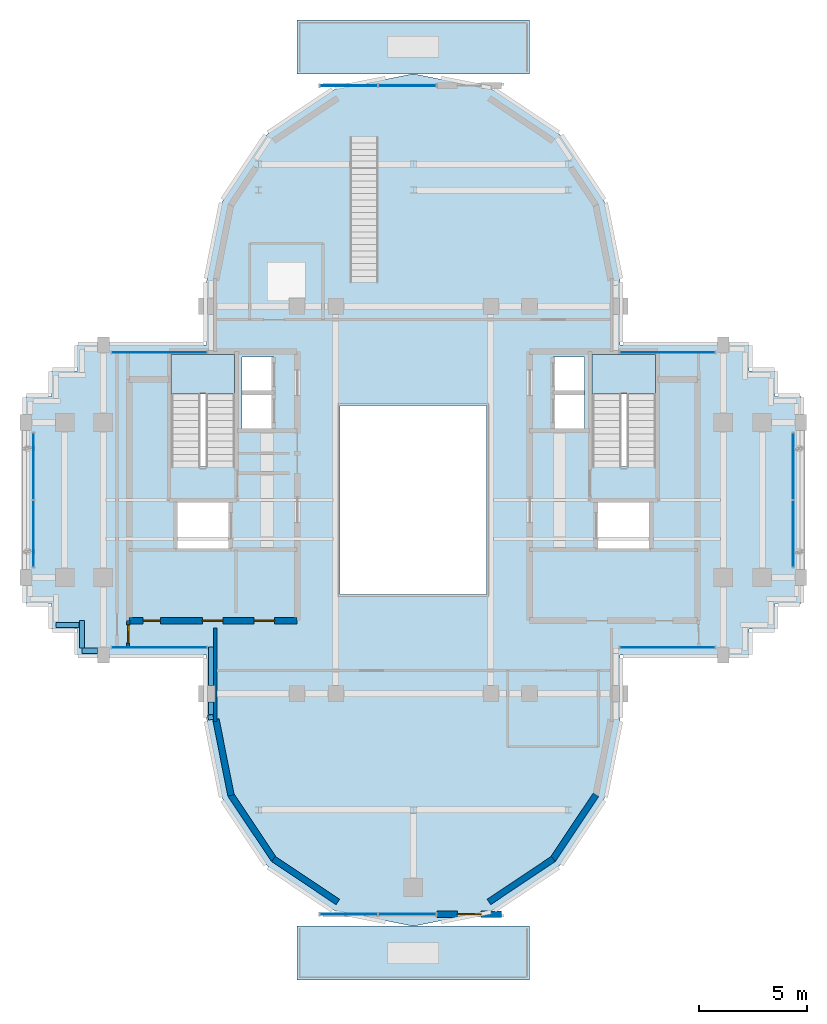
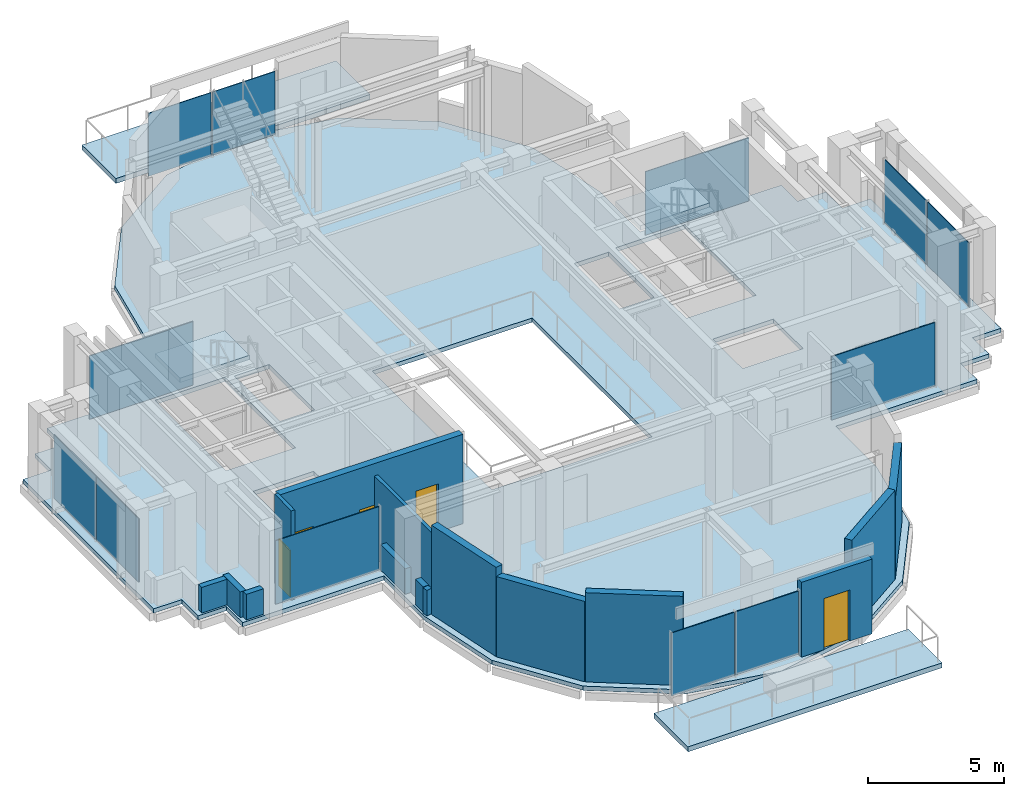
# One storey, part 7 of 14: 15 walls, 12 plates, 5 doors, 5 slabs, 5 openings, 10 elements without a shape of their own.
"""IFC4 building model written with IfcOpenShell, lengths in metres."""

from ifc_helpers import new_model, si_unit, direction, frame, frame_2d, origin, origin_2d, place, context, subcontext, project, spatial, polyline, rectangle, outline, extrude, source, transform, mapped, material, layer, layer_set, type_object, element, fill, aggregate, save


model = new_model("IFC4")

# Units and contexts
model_context = context("Model", 3, precision=1e-05, world=origin(), true_north=direction((0.0, 1.0)))
body_context = subcontext(model_context, "Body", "Model", "MODEL_VIEW")
ifc_project = project(units=[si_unit("LENGTHUNIT", "METRE"), si_unit("AREAUNIT", "SQUARE_METRE"), si_unit("VOLUMEUNIT", "CUBIC_METRE"), si_unit("PLANEANGLEUNIT", "RADIAN"), si_unit("MASSUNIT", "GRAM", prefix="KILO")], contexts=[model_context])

# Site, building, storey
site_placement = place(None, origin())
site = spatial("IfcSite", under=ifc_project, at=site_placement, CompositionType="ELEMENT")
building_placement = place(site_placement, origin())
building = spatial("IfcBuilding", under=site, at=building_placement, Name="Keilestroom Media Tower", CompositionType="ELEMENT")
storey_placement = place(building_placement, frame((0.0, 0.0, 219.39990234375)))
storey = spatial("IfcBuildingStorey", under=building, at=storey_placement, Name="L60", CompositionType="ELEMENT", Elevation=219.39990234375)

# Slabs
ifc_material_1 = material(Name="Concrete C50/60", Category="concrete")
ifc_layer_1 = layer(ifc_material_1, 0.18994140625)
ifc_layer_set_1 = layer_set([ifc_layer_1], Name="Concrete C50/60")
slab_type_1 = type_object("IfcSlabType", Name="Composite-Floor-Slab-190", PredefinedType="FLOOR", material=ifc_layer_set_1)
slab_1_placement = place(storey_placement, frame((0.0, 0.0, -0.18994140625)))
element("IfcSlab", 1, at=slab_1_placement, inside=storey, type_object=slab_type_1, Name="L60 Structural Composite Floor Slab", PredefinedType="FLOOR", context=body_context, shape_type="SweptSolid", body=[
    extrude(outline(polyline([(18.0, -4.800048828125), (18.0, 4.800048828125), (16.800048828125, 4.800048828125), (16.800048828125, 6.0), (15.60009765625, 6.0), (15.60009765625, 7.199951171875), (9.60009765625, 7.199951171875), (9.60009765625, 9.60009765625), (9.60009765625, 10.199951171875), (8.869140625, 13.873779296875), (6.7880859375, 16.98828125), (3.673828125, 19.069091796875), (0.0, 19.800048828125), (-3.673828125, 19.069091796875), (-6.7880859375, 16.98828125), (-8.869140625, 13.873779296875), (-9.60009765625, 10.199951171875), (-9.60009765625, 9.60009765625), (-9.60009765625, 7.199951171875), (-15.60009765625, 7.199951171875), (-15.60009765625, 6.0), (-16.800048828125, 6.0), (-16.800048828125, 4.800048828125), (-18.0, 4.800048828125), (-18.0, -4.800048828125), (-16.800048828125, -4.800048828125), (-16.800048828125, -6.0), (-15.60009765625, -6.0), (-15.60009765625, -7.199951171875), (-9.60009765625, -7.199951171875), (-9.60009765625, -9.60009765625), (-9.60009765625, -10.199951171875), (-8.869140625, -13.873779296875), (-6.7880859375, -16.98828125), (-3.673828125, -19.069091796875), (0.0, -19.800048828125), (3.673828125, -19.069091796875), (6.7880859375, -16.98828125), (8.869140625, -13.873779296875), (9.60009765625, -10.199951171875), (9.60009765625, -9.60009765625), (9.60009765625, -7.199951171875), (15.60009765625, -7.199951171875), (15.60009765625, -6.0), (16.800048828125, -6.0), (16.800048828125, -4.800048828125), (18.0, -4.800048828125)]), holes=[polyline([(-8.300048828125, 1.544921875), (-11.260009765625, 1.544921875), (-11.260009765625, 6.760009765625), (-8.300048828125, 6.760009765625), (-8.300048828125, 1.544921875)]), polyline([(-8.47998046875, -2.280029296875), (-11.050048828125, -2.280029296875), (-11.050048828125, -0.10009765625), (-8.47998046875, -0.10009765625), (-8.47998046875, -2.280029296875)]), polyline([(-6.47998046875, 3.300048828125), (-7.949951171875, 3.300048828125), (-7.949951171875, 6.64990234375), (-6.47998046875, 6.64990234375), (-6.47998046875, 3.300048828125)]), polyline([(3.39990234375, -4.39990234375), (-3.39990234375, -4.39990234375), (-3.39990234375, 4.39990234375), (3.39990234375, 4.39990234375), (3.39990234375, -4.39990234375)]), polyline([(7.949951171875, 3.300048828125), (6.47998046875, 3.300048828125), (6.47998046875, 6.64990234375), (7.949951171875, 6.64990234375), (7.949951171875, 3.300048828125)]), polyline([(11.260009765625, 1.544921875), (8.300048828125, 1.544921875), (8.300048828125, 6.760009765625), (11.260009765625, 6.760009765625), (11.260009765625, 1.544921875)]), polyline([(11.050048828125, -2.280029296875), (8.47998046875, -2.280029296875), (8.47998046875, -0.10009765625), (11.050048828125, -0.10009765625), (11.050048828125, -2.280029296875)])]), origin(), (0.0, 0.0, 1.0), 0.18994140625),
])
ifc_material_2 = material(Name="Concrete C45/55", Category="concrete")
ifc_layer_2 = layer(ifc_material_2, 0.219970703125)
ifc_layer_set_2 = layer_set([ifc_layer_2], Name="Concrete C45/55")
slab_type_2 = type_object("IfcSlabType", Name="Exterior-Terrace-And-Sky-Garden-Slab-220", PredefinedType="FLOOR", material=ifc_layer_set_2)
slab_2_placement = place(storey_placement, frame((0.0, 0.0, -0.219970703125)))
element("IfcSlab", 2, at=slab_2_placement, inside=storey, type_object=slab_type_2, Name="L60 Planted Sky-Garden Terrace Slab L60-SKYGARDEN-N", PredefinedType="FLOOR", context=body_context, shape_type="SweptSolid", body=[
    extrude(outline(polyline([(-5.39990234375, 19.800048828125), (5.39990234375, 19.800048828125), (5.39990234375, 22.300048828125), (-5.39990234375, 22.300048828125), (-5.39990234375, 19.800048828125)])), origin(), (0.0, 0.0, 1.0), 0.219970703125),
])
slab_3_placement = place(storey_placement, frame((0.0, 0.0, -0.219970703125)))
element("IfcSlab", 3, at=slab_3_placement, inside=storey, type_object=slab_type_2, Name="L60 Planted Sky-Garden Terrace Slab L60-SKYGARDEN-S", PredefinedType="FLOOR", context=body_context, shape_type="SweptSolid", body=[
    extrude(outline(polyline([(-5.39990234375, -22.300048828125), (5.39990234375, -22.300048828125), (5.39990234375, -19.800048828125), (-5.39990234375, -19.800048828125), (-5.39990234375, -22.300048828125)])), origin(), (0.0, 0.0, 1.0), 0.219970703125),
])

# Stair, slab
stair_type = type_object("IfcStairType", Name="Enclosed-Dog-Leg-Stair-ST-CORE", PredefinedType="HALF_TURN_STAIR", material=ifc_material_2)
stair_1_placement = place(storey_placement, origin())
stair_1 = element("IfcStair", 4, at=stair_1_placement, inside=storey, type_object=stair_type, Name="L60 West Core Escape Stair ST-1", PredefinedType="HALF_TURN_STAIR")
ifc_layer_3 = layer(ifc_material_2, 0.199951171875)
ifc_layer_set_3 = layer_set([ifc_layer_3], Name="Concrete C45/55")
slab_type_3 = type_object("IfcSlabType", Name="Stair-Intermediate-And-Top-Landing-Slab-200", PredefinedType="LANDING", material=ifc_layer_set_3)
slab_4_placement = place(storey_placement, frame((0.0, 0.0, 1.900146484375)))
slab_4 = element("IfcSlab", 5, at=slab_4_placement, type_object=slab_type_3, Name="ST-1 landing 1", PredefinedType="LANDING", context=body_context, shape_type="SweptSolid", body=[
    extrude(outline(polyline([(-8.300048828125, 4.931884765625), (-8.300048828125, 6.760009765625), (-11.260009765625, 6.760009765625), (-11.260009765625, 4.931884765625), (-8.300048828125, 4.931884765625)])), origin(), (0.0, 0.0, 1.0), 0.199951171875),
])
aggregate(stair_1, [slab_4])

stair_2_placement = place(storey_placement, origin())
stair_2 = element("IfcStair", 6, at=stair_2_placement, inside=storey, type_object=stair_type, Name="L60 East Core Escape Stair ST-2", PredefinedType="HALF_TURN_STAIR")
slab_5_placement = place(storey_placement, frame((0.0, 0.0, 1.900146484375)))
slab_5 = element("IfcSlab", 7, at=slab_5_placement, type_object=slab_type_3, Name="ST-2 landing 1", PredefinedType="LANDING", context=body_context, shape_type="SweptSolid", body=[
    extrude(outline(polyline([(11.260009765625, 4.931884765625), (11.260009765625, 6.760009765625), (8.300048828125, 6.760009765625), (8.300048828125, 4.931884765625), (11.260009765625, 4.931884765625)])), origin(), (0.0, 0.0, 1.0), 0.199951171875),
])
aggregate(stair_2, [slab_5])

# Curtain wall, plates
ifc_material_3 = material(Name="Anodised Aluminium Alloy", Category="aluminium")
curtain_wall_type_1 = type_object("IfcCurtainWallType", Name="Unitised-Curtain-Wall-CW-4", PredefinedType="NOTDEFINED", material=ifc_material_3)
curtain_wall_1_placement = place(storey_placement, origin())
curtain_wall_1 = element("IfcCurtainWall", 8, at=curtain_wall_1_placement, inside=storey, type_object=curtain_wall_type_1, Name="L60 Curtain Wall CW-4 CW-L60-W-1", PredefinedType="NOTDEFINED")
ifc_material_4 = material(Name="Triple Glazed Solar-Control Unit", Category="glass")
ifc_layer_4 = layer(ifc_material_4, 0.035888671875)
ifc_layer_set_4 = layer_set([ifc_layer_4], Name="Triple Glazed Solar-Control Unit")
plate_type_1 = type_object("IfcPlateType", Name="Insulated-Curtain-Wall-Glazing-Panel-CW-4", PredefinedType="CURTAIN_PANEL", material=ifc_layer_set_4)
shared_shape_1 = source(origin(), body_context, "Body", "SweptSolid", [
    extrude(rectangle(XDim=3.0830078125, YDim=0.035888671875, at=origin_2d()), origin(), (0.0, 0.0, 1.0), 2.85400390625),
])
plate_1_placement = place(storey_placement, frame((-17.64990234375, -1.5673828125, 0.06298828125), z_axis=(0.0, 0.0, 1.0), x_axis=(0.0, 1.0, 0.0)))
plate_1 = element("IfcPlate", 9, at=plate_1_placement, type_object=plate_type_1, Name="CW-4 Unitised Glazing 00", PredefinedType="CURTAIN_PANEL", context=body_context, shape_type="MappedRepresentation", body=[
    mapped(shared_shape_1, transform((0.0, 0.0, 0.0), x_axis=(1.0, 0.0, 0.0), y_axis=(0.0, 1.0, 0.0), z_axis=(0.0, 0.0, 1.0), scale=1.0)),
])
plate_2_placement = place(storey_placement, frame((-17.64990234375, 1.5673828125, 0.06298828125), z_axis=(0.0, 0.0, 1.0), x_axis=(0.0, 1.0, 0.0)))
plate_2 = element("IfcPlate", 10, at=plate_2_placement, type_object=plate_type_1, Name="CW-4 Unitised Glazing 01", PredefinedType="CURTAIN_PANEL", context=body_context, shape_type="MappedRepresentation", body=[
    mapped(shared_shape_1, transform((0.0, 0.0, 0.0), x_axis=(1.0, 0.0, 0.0), y_axis=(0.0, 1.0, 0.0), z_axis=(0.0, 0.0, 1.0), scale=1.0)),
])
aggregate(curtain_wall_1, [plate_1, plate_2])

curtain_wall_2_placement = place(storey_placement, origin())
curtain_wall_2 = element("IfcCurtainWall", 11, at=curtain_wall_2_placement, inside=storey, type_object=curtain_wall_type_1, Name="L60 Curtain Wall CW-4 CW-L60-E-1", PredefinedType="NOTDEFINED")
plate_3_placement = place(storey_placement, frame((17.64990234375, -1.5673828125, 0.06298828125), z_axis=(0.0, 0.0, 1.0), x_axis=(0.0, 1.0, 0.0)))
plate_3 = element("IfcPlate", 12, at=plate_3_placement, type_object=plate_type_1, Name="CW-4 Unitised Glazing 00", PredefinedType="CURTAIN_PANEL", context=body_context, shape_type="MappedRepresentation", body=[
    mapped(shared_shape_1, transform((0.0, 0.0, 0.0), x_axis=(1.0, 0.0, 0.0), y_axis=(0.0, 1.0, 0.0), z_axis=(0.0, 0.0, 1.0), scale=1.0)),
])
plate_4_placement = place(storey_placement, frame((17.64990234375, 1.5673828125, 0.06298828125), z_axis=(0.0, 0.0, 1.0), x_axis=(0.0, 1.0, 0.0)))
plate_4 = element("IfcPlate", 13, at=plate_4_placement, type_object=plate_type_1, Name="CW-4 Unitised Glazing 01", PredefinedType="CURTAIN_PANEL", context=body_context, shape_type="MappedRepresentation", body=[
    mapped(shared_shape_1, transform((0.0, 0.0, 0.0), x_axis=(1.0, 0.0, 0.0), y_axis=(0.0, 1.0, 0.0), z_axis=(0.0, 0.0, 1.0), scale=1.0)),
])
aggregate(curtain_wall_2, [plate_3, plate_4])

# Curtain wall, plate
curtain_wall_3_placement = place(storey_placement, origin())
curtain_wall_3 = element("IfcCurtainWall", 14, at=curtain_wall_3_placement, inside=storey, type_object=curtain_wall_type_1, Name="L60 Curtain Wall CW-4 CW-L60-NW-1", PredefinedType="NOTDEFINED")
shared_shape_2 = source(origin(), body_context, "Body", "SweptSolid", [
    extrude(rectangle(XDim=4.403076171875, YDim=0.035888671875, at=origin_2d()), origin(), (0.0, 0.0, 1.0), 2.85400390625),
])
plate_5_placement = place(storey_placement, frame((-11.8076171875, 6.85009765625, 0.06298828125), z_axis=(0.0, 0.0, 1.0), x_axis=(1.0, 0.0, 0.0)))
plate_5 = element("IfcPlate", 15, at=plate_5_placement, type_object=plate_type_1, Name="CW-4 Unitised Glazing 00", PredefinedType="CURTAIN_PANEL", context=body_context, shape_type="MappedRepresentation", body=[
    mapped(shared_shape_2, transform((0.0, 0.0, 0.0), x_axis=(1.0, 0.0, 0.0), y_axis=(0.0, 1.0, 0.0), z_axis=(0.0, 0.0, 1.0), scale=1.0)),
])
aggregate(curtain_wall_3, [plate_5])

curtain_wall_4_placement = place(storey_placement, origin())
curtain_wall_4 = element("IfcCurtainWall", 16, at=curtain_wall_4_placement, inside=storey, type_object=curtain_wall_type_1, Name="L60 Curtain Wall CW-4 CW-L60-NE-1", PredefinedType="NOTDEFINED")
plate_6_placement = place(storey_placement, frame((11.8076171875, 6.85009765625, 0.06298828125), z_axis=(0.0, 0.0, 1.0), x_axis=(1.0, 0.0, 0.0)))
plate_6 = element("IfcPlate", 17, at=plate_6_placement, type_object=plate_type_1, Name="CW-4 Unitised Glazing 00", PredefinedType="CURTAIN_PANEL", context=body_context, shape_type="MappedRepresentation", body=[
    mapped(shared_shape_2, transform((0.0, 0.0, 0.0), x_axis=(1.0, 0.0, 0.0), y_axis=(0.0, 1.0, 0.0), z_axis=(0.0, 0.0, 1.0), scale=1.0)),
])
aggregate(curtain_wall_4, [plate_6])

curtain_wall_5_placement = place(storey_placement, origin())
curtain_wall_5 = element("IfcCurtainWall", 18, at=curtain_wall_5_placement, inside=storey, type_object=curtain_wall_type_1, Name="L60 Curtain Wall CW-4 CW-L60-SW-1", PredefinedType="NOTDEFINED")
plate_7_placement = place(storey_placement, frame((-11.8076171875, -6.85009765625, 0.06298828125), z_axis=(0.0, 0.0, 1.0), x_axis=(1.0, 0.0, 0.0)))
plate_7 = element("IfcPlate", 19, at=plate_7_placement, type_object=plate_type_1, Name="CW-4 Unitised Glazing 00", PredefinedType="CURTAIN_PANEL", context=body_context, shape_type="MappedRepresentation", body=[
    mapped(shared_shape_2, transform((0.0, 0.0, 0.0), x_axis=(1.0, 0.0, 0.0), y_axis=(0.0, 1.0, 0.0), z_axis=(0.0, 0.0, 1.0), scale=1.0)),
])
aggregate(curtain_wall_5, [plate_7])

curtain_wall_6_placement = place(storey_placement, origin())
curtain_wall_6 = element("IfcCurtainWall", 20, at=curtain_wall_6_placement, inside=storey, type_object=curtain_wall_type_1, Name="L60 Curtain Wall CW-4 CW-L60-SE-1", PredefinedType="NOTDEFINED")
plate_8_placement = place(storey_placement, frame((11.8076171875, -6.85009765625, 0.06298828125), z_axis=(0.0, 0.0, 1.0), x_axis=(1.0, 0.0, 0.0)))
plate_8 = element("IfcPlate", 21, at=plate_8_placement, type_object=plate_type_1, Name="CW-4 Unitised Glazing 00", PredefinedType="CURTAIN_PANEL", context=body_context, shape_type="MappedRepresentation", body=[
    mapped(shared_shape_2, transform((0.0, 0.0, 0.0), x_axis=(1.0, 0.0, 0.0), y_axis=(0.0, 1.0, 0.0), z_axis=(0.0, 0.0, 1.0), scale=1.0)),
])
aggregate(curtain_wall_6, [plate_8])

# Curtain wall, plates
curtain_wall_type_2 = type_object("IfcCurtainWallType", Name="Unitised-Curtain-Wall-CW-6", PredefinedType="NOTDEFINED", material=ifc_material_3)
curtain_wall_7_placement = place(storey_placement, origin())
curtain_wall_7 = element("IfcCurtainWall", 22, at=curtain_wall_7_placement, inside=storey, type_object=curtain_wall_type_2, Name="L60 Curtain Wall CW-6 CW-L60-LN-1", PredefinedType="NOTDEFINED")
ifc_material_5 = material(Name="Curved-Facet Triple Glazed Unit", Category="glass")
ifc_layer_5 = layer(ifc_material_5, 0.033935546875)
ifc_layer_set_5 = layer_set([ifc_layer_5], Name="Curved-Facet Triple Glazed Unit")
plate_type_2 = type_object("IfcPlateType", Name="Insulated-Curtain-Wall-Glazing-Panel-CW-6", PredefinedType="CURTAIN_PANEL", material=ifc_layer_set_5)
shared_shape_3 = source(origin(), body_context, "Body", "SweptSolid", [
    extrude(rectangle(XDim=2.6630859375, YDim=0.033935546875, at=origin_2d()), origin(), (0.0, 0.0, 1.0), 2.833984375),
])
plate_9_placement = place(storey_placement, frame((-3.007568359375, 19.25, 0.072998046875), z_axis=(0.0, 0.0, 1.0), x_axis=(1.0, 0.0, 0.0)))
plate_9 = element("IfcPlate", 23, at=plate_9_placement, type_object=plate_type_2, Name="CW-6 Unitised Glazing 00", PredefinedType="CURTAIN_PANEL", context=body_context, shape_type="MappedRepresentation", body=[
    mapped(shared_shape_3, transform((0.0, 0.0, 0.0), x_axis=(1.0, 0.0, 0.0), y_axis=(0.0, 1.0, 0.0), z_axis=(0.0, 0.0, 1.0), scale=1.0)),
])
plate_10_placement = place(storey_placement, frame((-0.28759765625, 19.25, 0.072998046875), z_axis=(0.0, 0.0, 1.0), x_axis=(1.0, 0.0, 0.0)))
plate_10 = element("IfcPlate", 24, at=plate_10_placement, type_object=plate_type_2, Name="CW-6 Unitised Glazing 01", PredefinedType="CURTAIN_PANEL", context=body_context, shape_type="MappedRepresentation", body=[
    mapped(shared_shape_3, transform((0.0, 0.0, 0.0), x_axis=(1.0, 0.0, 0.0), y_axis=(0.0, 1.0, 0.0), z_axis=(0.0, 0.0, 1.0), scale=1.0)),
])
aggregate(curtain_wall_7, [plate_9, plate_10])

curtain_wall_8_placement = place(storey_placement, origin())
curtain_wall_8 = element("IfcCurtainWall", 25, at=curtain_wall_8_placement, inside=storey, type_object=curtain_wall_type_2, Name="L60 Curtain Wall CW-6 CW-L60-LS-1", PredefinedType="NOTDEFINED")
plate_11_placement = place(storey_placement, frame((-3.007568359375, -19.25, 0.072998046875), z_axis=(0.0, 0.0, 1.0), x_axis=(1.0, 0.0, 0.0)))
plate_11 = element("IfcPlate", 26, at=plate_11_placement, type_object=plate_type_2, Name="CW-6 Unitised Glazing 00", PredefinedType="CURTAIN_PANEL", context=body_context, shape_type="MappedRepresentation", body=[
    mapped(shared_shape_3, transform((0.0, 0.0, 0.0), x_axis=(1.0, 0.0, 0.0), y_axis=(0.0, 1.0, 0.0), z_axis=(0.0, 0.0, 1.0), scale=1.0)),
])
plate_12_placement = place(storey_placement, frame((-0.28759765625, -19.25, 0.072998046875), z_axis=(0.0, 0.0, 1.0), x_axis=(1.0, 0.0, 0.0)))
plate_12 = element("IfcPlate", 27, at=plate_12_placement, type_object=plate_type_2, Name="CW-6 Unitised Glazing 01", PredefinedType="CURTAIN_PANEL", context=body_context, shape_type="MappedRepresentation", body=[
    mapped(shared_shape_3, transform((0.0, 0.0, 0.0), x_axis=(1.0, 0.0, 0.0), y_axis=(0.0, 1.0, 0.0), z_axis=(0.0, 0.0, 1.0), scale=1.0)),
])
aggregate(curtain_wall_8, [plate_11, plate_12])

# Walls
ifc_material_6 = material(Name="Precast concrete C40/50", Category="concrete")
ifc_layer_6 = layer(ifc_material_6, 0.300048828125)
ifc_layer_set_6 = layer_set([ifc_layer_6], Name="Precast concrete C40/50")
wall_type_1 = type_object("IfcWallType", Name="Exterior-Masonry-Spandrel-Wall-300", PredefinedType="SOLIDWALL", material=ifc_layer_set_6)
wall_1_placement = place(storey_placement, frame((-9.1748046875, -10.185302734375, 0.0), z_axis=(0.0, 0.0, 1.0), x_axis=(0.195114232679, -0.980780523974, 0.0)))
element("IfcWall", 28, at=wall_1_placement, inside=storey, type_object=wall_type_1, Name="L60 Lobe Facet Precast Frame Wall 07", PredefinedType="SOLIDWALL", context=body_context, shape_type="SweptSolid", body=[
    extrude(rectangle(XDim=3.608642578125, YDim=0.300048828125, at=frame_2d((1.80419921875, 0.0))), origin(), (0.0, 0.0, 1.0), 4.010009765625),
])
wall_2_placement = place(storey_placement, frame((-8.48193359375, -13.697509765625, 0.0), z_axis=(0.0, 0.0, 1.0), x_axis=(0.555574187116, -0.831466970246, 0.0)))
element("IfcWall", 29, at=wall_2_placement, inside=storey, type_object=wall_type_1, Name="L60 Lobe Facet Precast Frame Wall 08", PredefinedType="SOLIDWALL", context=body_context, shape_type="SweptSolid", body=[
    extrude(rectangle(XDim=3.608642578125, YDim=0.300048828125, at=frame_2d((1.80419921875, 0.0))), origin(), (0.0, 0.0, 1.0), 3.610107421875),
])
for number, where, z_axis, x_axis, name in (
    (30, (-6.497802734375, -16.677001953125, 0.0), (0.0, 0.0, 1.0), (0.831443568068, -0.555609208993, 0.0), "L60 Lobe Facet Precast Frame Wall 09"),
    (31, (3.510009765625, -18.673583984375, 0.0), (0.0, 0.0, 1.0), (0.831443568068, 0.555609208993, 0.0), "L60 Lobe Facet Precast Frame Wall 10"),
):
    element("IfcWall", number, at=place(storey_placement, frame(where, z_axis=z_axis, x_axis=x_axis)), inside=storey, type_object=wall_type_1, Name=name, PredefinedType="SOLIDWALL", context=body_context, shape_type="SweptSolid", body=[
        extrude(rectangle(XDim=3.593505859375, YDim=0.300048828125, at=frame_2d((1.796875, 0.0))), origin(), (0.0, 0.0, 1.0), 4.010009765625),
    ])
wall_3_placement = place(storey_placement, frame((6.47705078125, -16.697998046875, 0.0), z_axis=(0.0, 0.0, 1.0), x_axis=(0.555574187116, 0.831466970246, 0.0)))
element("IfcWall", 32, at=wall_3_placement, inside=storey, type_object=wall_type_1, Name="L60 Lobe Facet Precast Frame Wall 11", PredefinedType="SOLIDWALL", context=body_context, shape_type="SweptSolid", body=[
    extrude(rectangle(XDim=3.608642578125, YDim=0.300048828125, at=frame_2d((1.80419921875, 0.0))), origin(), (0.0, 0.0, 1.0), 3.610107421875),
])

# Wall, opening, door
wall_4_placement = place(storey_placement, frame((1.10009765625, -19.25, 0.0), z_axis=(0.0, 0.0, 1.0), x_axis=(1.0, 0.0, 0.0)))
wall_4 = element("IfcWall", 33, at=wall_4_placement, inside=storey, type_object=wall_type_1, Name="L60 Terrace Threshold Wall SG60-S", PredefinedType="SOLIDWALL", context=body_context, shape_type="SweptSolid", body=[
    extrude(rectangle(XDim=3.0, YDim=0.300048828125, at=frame_2d((1.5, 0.0))), origin(), (0.0, 0.0, 1.0), 3.360107421875),
])
opening_1_placement = place(wall_4_placement, frame((0.949951171875, 0.0, 0.0)))
opening_1 = element("IfcOpeningElement", 34, at=opening_1_placement, cuts=wall_4, Name="Opening DE-02", PredefinedType="OPENING", context=body_context, shape_type="SweptSolid", body=[
    extrude(rectangle(XDim=1.10009765625, YDim=2.300048828125, at=frame_2d((0.550048828125, 1.14990234375))), frame((0.0, 0.16015625, 0.0), z_axis=(0.0, -1.0, 0.0), x_axis=(1.0, 0.0, 0.0)), (0.0, 0.0, 1.0), 0.320068359375),
])
ifc_material_7 = material(Name="Thermally Broken Aluminium & Laminated Glass", Category="aluminium")
door_type_1 = type_object("IfcDoorType", Name="Exterior-Entrance-And-Terrace-Door-DE-02", OperationType="NOTDEFINED", PredefinedType="DOOR", material=ifc_material_7)
shared_shape_4 = source(origin(), body_context, "Body", "SweptSolid", [
    extrude(rectangle(XDim=1.10009765625, YDim=2.300048828125, at=frame_2d((0.550048828125, 1.14990234375))), frame((0.0, 0.02490234375, 0.0), z_axis=(0.0, -1.0, 0.0), x_axis=(1.0, 0.0, 0.0)), (0.0, 0.0, 1.0), 0.050048828125),
])
door_1_placement = place(opening_1_placement, frame((1.10009765625, 0.0, 0.0), z_axis=(0.0, 0.0, 1.0), x_axis=(-1.0, 0.0, 0.0)))
door_1 = element("IfcDoor", 35, at=door_1_placement, inside=storey, type_object=door_type_1, Name="L60 Terrace Access Door DE-02 SG60-S", OperationType="SINGLE_SWING_RIGHT", OverallHeight=2.300048828125, OverallWidth=1.10009765625, PredefinedType="DOOR", context=body_context, shape_type="MappedRepresentation", body=[
    mapped(shared_shape_4, transform((0.0, 0.0, 0.0), x_axis=(1.0, 0.0, 0.0), y_axis=(0.0, 1.0, 0.0), z_axis=(0.0, 0.0, 1.0), scale=1.0)),
])
fill(opening_1, door_1)

# Wall
ifc_material_8 = material(Name="Gypsum Plasterboard & Steel Stud", Category="steel")
ifc_layer_7 = layer(ifc_material_8, 0.14990234375)
ifc_layer_set_7 = layer_set([ifc_layer_7], Name="Gypsum Plasterboard & Steel Stud")
wall_type_2 = type_object("IfcWallType", Name="Interior-Partition-Wall-150", PredefinedType="PARTITIONING", material=ifc_layer_set_7)
wall_5_placement = place(storey_placement, frame((-9.199951171875, -10.280029296875, 0.0), z_axis=(0.0, 0.0, 1.0), x_axis=(0.0, 1.0, 0.0)))
element("IfcWall", 36, at=wall_5_placement, inside=storey, type_object=wall_type_2, Name="L60 Interior Wall WP-L60-SL-CHKW", PredefinedType="PARTITIONING", context=body_context, shape_type="SweptSolid", body=[
    extrude(rectangle(XDim=4.340087890625, YDim=0.14990234375, at=frame_2d((2.169921875, 0.0))), origin(), (0.0, 0.0, 1.0), 3.610107421875),
])

# Wall, opening, door
wall_6_placement = place(storey_placement, frame((-13.260009765625, -6.85009765625, 0.0), z_axis=(0.0, 0.0, 1.0), x_axis=(0.016013571389, 0.999871774545, 0.0)))
wall_6 = element("IfcWall", 37, at=wall_6_placement, inside=storey, type_object=wall_type_2, Name="L60 Interior Wall WP-L60-WA-ENTS", PredefinedType="PARTITIONING", context=body_context, shape_type="SweptSolid", body=[
    extrude(rectangle(XDim=1.250244140625, YDim=0.14990234375, at=frame_2d((0.625, 0.0))), origin(), (0.0, 0.0, 1.0), 4.010009765625),
])
opening_2_placement = place(wall_6_placement, frame((0.199951171875, 0.0, 0.0)))
opening_2 = element("IfcOpeningElement", 38, at=opening_2_placement, cuts=wall_6, Name="Opening DI-05", PredefinedType="OPENING", context=body_context, shape_type="SweptSolid", body=[
    extrude(rectangle(XDim=0.85009765625, YDim=2.10009765625, at=frame_2d((0.425048828125, 1.050048828125))), frame((0.0, 0.0849609375, 0.0), z_axis=(0.0, -1.0, 0.0), x_axis=(1.0, 0.0, 0.0)), (0.0, 0.0, 1.0), 0.169921875),
])
ifc_material_9 = material(Name="Moisture-Resistant Oak Leaf", Category="wood")
door_type_2 = type_object("IfcDoorType", Name="Interior-En-Suite-And-Cupboard-Door-DI-05", OperationType="NOTDEFINED", PredefinedType="DOOR", material=ifc_material_9)
shared_shape_5 = source(origin(), body_context, "Body", "SweptSolid", [
    extrude(rectangle(XDim=0.85009765625, YDim=2.10009765625, at=frame_2d((0.425048828125, 1.050048828125))), frame((0.0, 0.02490234375, 0.0), z_axis=(0.0, -1.0, 0.0), x_axis=(1.0, 0.0, 0.0)), (0.0, 0.0, 1.0), 0.050048828125),
])
door_2_placement = place(opening_2_placement, origin())
door_2 = element("IfcDoor", 39, at=door_2_placement, inside=storey, type_object=door_type_2, Name="L60 Interior Door DI-L60-DWA-ENTS", OperationType="SINGLE_SWING_RIGHT", OverallHeight=2.10009765625, OverallWidth=0.85009765625, PredefinedType="DOOR", context=body_context, shape_type="MappedRepresentation", body=[
    mapped(shared_shape_5, transform((0.0, 0.0, 0.0), x_axis=(1.0, 0.0, 0.0), y_axis=(0.0, 1.0, 0.0), z_axis=(0.0, 0.0, 1.0), scale=1.0)),
])
fill(opening_2, door_2)

# Wall, openings, doors
ifc_layer_8 = layer(ifc_material_1, 0.300048828125)
ifc_layer_set_8 = layer_set([ifc_layer_8], Name="Concrete C50/60")
wall_type_3 = type_object("IfcWallType", Name="Reinforced-Concrete-Core-Shear-Wall-300", PredefinedType="SHEAR", material=ifc_layer_set_8)
wall_7_placement = place(storey_placement, frame((-13.199951171875, -5.60009765625, 0.0), z_axis=(0.0, 0.0, 1.0), x_axis=(1.0, 0.0, 0.0)))
wall_7 = element("IfcWall", 40, at=wall_7_placement, inside=storey, type_object=wall_type_3, Name="L60 Core Shear Wall WL-L60-CORE-W-S", PredefinedType="SHEAR", context=body_context, shape_type="SweptSolid", body=[
    extrude(rectangle(XDim=7.800048828125, YDim=0.300048828125, at=frame_2d((3.89990234375, 0.0))), origin(), (0.0, 0.0, 1.0), 4.010009765625),
])
opening_3_placement = place(wall_7_placement, frame((0.64990234375, 0.0, 0.0)))
opening_3 = element("IfcOpeningElement", 41, at=opening_3_placement, cuts=wall_7, Name="Opening DI-06", PredefinedType="OPENING", context=body_context, shape_type="SweptSolid", body=[
    extrude(rectangle(XDim=0.800048828125, YDim=2.10009765625, at=frame_2d((0.39990234375, 1.050048828125))), frame((0.0, 0.16015625, 0.0), z_axis=(0.0, -1.0, 0.0), x_axis=(1.0, 0.0, 0.0)), (0.0, 0.0, 1.0), 0.320068359375),
])
opening_4_placement = place(wall_7_placement, frame((3.39990234375, 0.0, 0.0)))
opening_4 = element("IfcOpeningElement", 42, at=opening_4_placement, cuts=wall_7, Name="Opening DI-03", PredefinedType="OPENING", context=body_context, shape_type="SweptSolid", body=[
    extrude(rectangle(XDim=0.949951171875, YDim=2.14990234375, at=frame_2d((0.47509765625, 1.074951171875))), frame((0.0, 0.16015625, 0.0), z_axis=(0.0, -1.0, 0.0), x_axis=(1.0, 0.0, 0.0)), (0.0, 0.0, 1.0), 0.320068359375),
])
opening_5_placement = place(wall_7_placement, frame((5.800048828125, 0.0, 0.0)))
opening_5 = element("IfcOpeningElement", 43, at=opening_5_placement, cuts=wall_7, Name="Opening DI-03", PredefinedType="OPENING", context=body_context, shape_type="SweptSolid", body=[
    extrude(rectangle(XDim=0.949951171875, YDim=2.14990234375, at=frame_2d((0.47509765625, 1.074951171875))), frame((0.0, 0.16015625, 0.0), z_axis=(0.0, -1.0, 0.0), x_axis=(1.0, 0.0, 0.0)), (0.0, 0.0, 1.0), 0.320068359375),
])
ifc_material_10 = material(Name="Powder-Coated Steel Service Leaf", Category="steel")
door_type_3 = type_object("IfcDoorType", Name="Interior-Riser-Access-Door-DI-06", OperationType="NOTDEFINED", PredefinedType="DOOR", material=ifc_material_10)
shared_shape_6 = source(origin(), body_context, "Body", "SweptSolid", [
    extrude(rectangle(XDim=0.800048828125, YDim=2.10009765625, at=frame_2d((0.39990234375, 1.050048828125))), frame((0.0, 0.02490234375, 0.0), z_axis=(0.0, -1.0, 0.0), x_axis=(1.0, 0.0, 0.0)), (0.0, 0.0, 1.0), 0.050048828125),
])
door_3_placement = place(opening_3_placement, origin())
door_3 = element("IfcDoor", 44, at=door_3_placement, inside=storey, type_object=door_type_3, Name="L60 Reclaimed West Core Room Door", OperationType="SINGLE_SWING_LEFT", OverallHeight=2.10009765625, OverallWidth=0.800048828125, PredefinedType="DOOR", context=body_context, shape_type="MappedRepresentation", body=[
    mapped(shared_shape_6, transform((0.0, 0.0, 0.0), x_axis=(1.0, 0.0, 0.0), y_axis=(0.0, 1.0, 0.0), z_axis=(0.0, 0.0, 1.0), scale=1.0)),
])
fill(opening_3, door_3)
ifc_material_11 = material(Name="Lacquered European Oak Leaf", Category="wood")
door_type_4 = type_object("IfcDoorType", Name="Interior-Room-And-Suite-Door-DI-03", OperationType="NOTDEFINED", PredefinedType="DOOR", material=ifc_material_11)
shared_shape_7 = source(origin(), body_context, "Body", "SweptSolid", [
    extrude(rectangle(XDim=0.949951171875, YDim=2.14990234375, at=frame_2d((0.47509765625, 1.074951171875))), frame((0.0, 0.02490234375, 0.0), z_axis=(0.0, -1.0, 0.0), x_axis=(1.0, 0.0, 0.0)), (0.0, 0.0, 1.0), 0.050048828125),
])
door_4_placement = place(opening_4_placement, origin())
door_4 = element("IfcDoor", 45, at=door_4_placement, inside=storey, type_object=door_type_4, Name="L60 Reclaimed Mid West Room 1 Door", OperationType="SINGLE_SWING_LEFT", OverallHeight=2.14990234375, OverallWidth=0.949951171875, PredefinedType="DOOR", context=body_context, shape_type="MappedRepresentation", body=[
    mapped(shared_shape_7, transform((0.0, 0.0, 0.0), x_axis=(1.0, 0.0, 0.0), y_axis=(0.0, 1.0, 0.0), z_axis=(0.0, 0.0, 1.0), scale=1.0)),
])
fill(opening_4, door_4)
door_5_placement = place(opening_5_placement, origin())
door_5 = element("IfcDoor", 46, at=door_5_placement, inside=storey, type_object=door_type_4, Name="L60 Reclaimed Mid West Room 2 Door", OperationType="SINGLE_SWING_RIGHT", OverallHeight=2.14990234375, OverallWidth=0.949951171875, PredefinedType="DOOR", context=body_context, shape_type="MappedRepresentation", body=[
    mapped(shared_shape_7, transform((0.0, 0.0, 0.0), x_axis=(1.0, 0.0, 0.0), y_axis=(0.0, 1.0, 0.0), z_axis=(0.0, 0.0, 1.0), scale=1.0)),
])
fill(opening_5, door_5)

# Walls
ifc_layer_9 = layer(ifc_material_6, 0.239990234375)
ifc_layer_set_9 = layer_set([ifc_layer_9], Name="Precast concrete C40/50")
wall_type_4 = type_object("IfcWallType", Name="Roof-And-Terrace-Parapet-Wall-240", PredefinedType="PARAPET", material=ifc_layer_set_9)
wall_8_placement = place(storey_placement, frame((-9.395263671875, -10.2041015625, 0.0), z_axis=(0.0, 0.0, 1.0), x_axis=(-0.194859894132, 0.980831087221, 0.0)))
element("IfcWall", 47, at=wall_8_placement, inside=storey, type_object=wall_type_4, Name="L60 Perimeter Edge Parapet Wall 09", PredefinedType="PARAPET", context=body_context, shape_type="SweptSolid", body=[
    extrude(rectangle(XDim=0.224365234375, YDim=0.239990234375, at=frame_2d((0.1123046875, 0.0))), origin(), (0.0, 0.0, 1.0), 1.150146484375),
])
wall_9_placement = place(storey_placement, frame((-9.39990234375, -9.957763671875, 0.0), z_axis=(0.0, 0.0, 1.0), x_axis=(0.0, 1.0, 0.0)))
element("IfcWall", 48, at=wall_9_placement, inside=storey, type_object=wall_type_4, Name="L60 Perimeter Edge Parapet Wall 10", PredefinedType="PARAPET", context=body_context, shape_type="SweptSolid", body=[
    extrude(rectangle(XDim=0.579833984375, YDim=0.239990234375, at=frame_2d((0.2900390625, 0.0))), origin(), (0.0, 0.0, 1.0), 1.150146484375),
])
wall_10_placement = place(storey_placement, frame((-9.39990234375, -8.6220703125, 0.0), z_axis=(0.0, 0.0, 1.0), x_axis=(0.0, 1.0, 0.0)))
element("IfcWall", 49, at=wall_10_placement, inside=storey, type_object=wall_type_4, Name="L60 Perimeter Edge Parapet Wall 11", PredefinedType="PARAPET", context=body_context, shape_type="SweptSolid", body=[
    extrude(rectangle(XDim=1.802978515625, YDim=0.239990234375, at=frame_2d((0.9013671875, 0.0))), origin(), (0.0, 0.0, 1.0), 1.150146484375),
])
wall_11_placement = place(storey_placement, frame((-14.677978515625, -7.0, 0.0), z_axis=(0.0, 0.0, 1.0), x_axis=(-1.0, 0.0, 0.0)))
element("IfcWall", 50, at=wall_11_placement, inside=storey, type_object=wall_type_4, Name="L60 Perimeter Edge Parapet Wall 12", PredefinedType="PARAPET", context=body_context, shape_type="SweptSolid", body=[
    extrude(rectangle(XDim=0.721923828125, YDim=0.239990234375, at=frame_2d((0.36083984375, 0.0))), origin(), (0.0, 0.0, 1.0), 1.150146484375),
])
wall_12_placement = place(storey_placement, frame((-15.39990234375, -6.876953125, 0.0), z_axis=(0.0, 0.0, 1.0), x_axis=(0.0, 1.0, 0.0)))
element("IfcWall", 51, at=wall_12_placement, inside=storey, type_object=wall_type_4, Name="L60 Perimeter Edge Parapet Wall 13", PredefinedType="PARAPET", context=body_context, shape_type="SweptSolid", body=[
    extrude(rectangle(XDim=1.27685546875, YDim=0.239990234375, at=frame_2d((0.638427734375, 0.0))), origin(), (0.0, 0.0, 1.0), 1.150146484375),
])
wall_13_placement = place(storey_placement, frame((-15.52294921875, -5.800048828125, 0.0), z_axis=(0.0, 0.0, 1.0), x_axis=(-1.0, 0.0, 0.0)))
element("IfcWall", 52, at=wall_13_placement, inside=storey, type_object=wall_type_4, Name="L60 Perimeter Edge Parapet Wall 14", PredefinedType="PARAPET", context=body_context, shape_type="SweptSolid", body=[
    extrude(rectangle(XDim=1.0771484375, YDim=0.239990234375, at=frame_2d((0.53857421875, 0.0))), origin(), (0.0, 0.0, 1.0), 1.150146484375),
])

save(model, "model.ifc")
